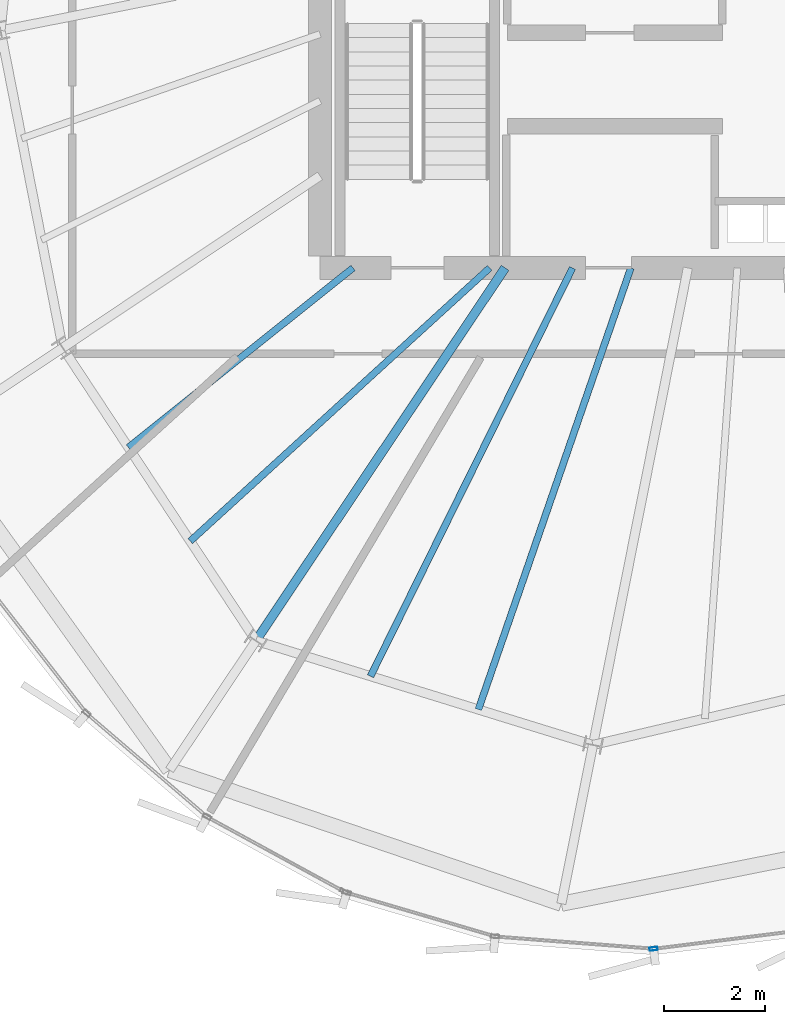
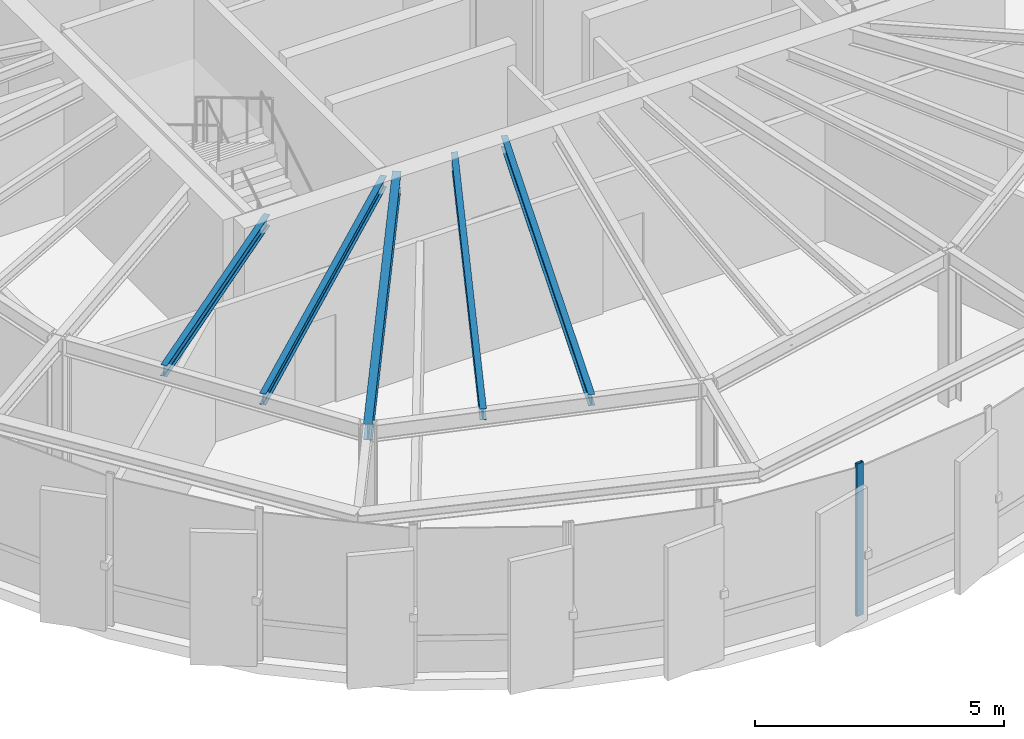
# One storey, part 5 of 25: 5 beams, 1 member, 1 element without a shape of its own.
"""IFC4 building model written with IfcOpenShell, lengths in metres."""

from ifc_helpers import new_model, si_unit, direction, frame, origin, origin_2d, place, context, subcontext, project, spatial, hollow_rectangle, i_section, extrude, source, transform, mapped, material, layer, layer_set, material_profile, profile_set, type_object, element, aggregate, save


model = new_model("IFC4")

# Units and contexts
model_context = context("Model", 3, precision=1e-05, world=origin(), true_north=direction((0.0, 1.0)))
body_context = subcontext(model_context, "Body", "Model", "MODEL_VIEW")
ifc_project = project(units=[si_unit("LENGTHUNIT", "METRE"), si_unit("AREAUNIT", "SQUARE_METRE"), si_unit("VOLUMEUNIT", "CUBIC_METRE"), si_unit("PLANEANGLEUNIT", "RADIAN"), si_unit("MASSUNIT", "GRAM", prefix="KILO"), si_unit("THERMODYNAMICTEMPERATUREUNIT", "KELVIN")], contexts=[model_context])

# Site, building, storey
site_placement = place(None, origin())
site = spatial("IfcSite", under=ifc_project, at=site_placement, CompositionType="ELEMENT")
building_placement = place(site_placement, origin())
building = spatial("IfcBuilding", under=site, at=building_placement, Name="Kethvar Cultural Tower", CompositionType="ELEMENT")
storey_placement = place(building_placement, frame((0.0, 0.0, 304.300048828125)))
storey = spatial("IfcBuildingStorey", under=building, at=storey_placement, Name="L81", CompositionType="ELEMENT", Elevation=304.300048828125)

# Beams
ifc_material_1 = material(Name="Steel S355J2", Category="steel")
ifc_material_profile_1 = material_profile(ifc_material_1, i_section(OverallWidth=0.135009765625, OverallDepth=0.27001953125, WebThickness=0.006591796875, FlangeThickness=0.01025390625, FilletRadius=0.014892578125, at=origin_2d()), Name="Steel S355J2 — IPE270")
ifc_profile_set_1 = profile_set([ifc_material_profile_1], Name="Steel S355J2 — IPE270")
beam_type_1 = type_object("IfcBeamType", Name="BM-J270", PredefinedType="JOIST", material=ifc_profile_set_1)
shared_shape_1 = source(origin(), body_context, "Body", "SweptSolid", [
    extrude(i_section(OverallWidth=0.135009765625, OverallDepth=0.27001953125, WebThickness=0.006591796875, FlangeThickness=0.01025390625, FilletRadius=0.014892578125, at=origin_2d()), origin(), (0.0, 0.0, 1.0), 5.68212890625),
])
beam_1_placement = place(storey_placement, frame((38.64990234375, 20.10009765625, 3.597900390625), z_axis=(-0.781157957733, -0.624333440615, 0.0), x_axis=(0.624333440615, -0.781157957733, 0.0)))
element("IfcBeam", 1, at=beam_1_placement, inside=storey, type_object=beam_type_1, Name="L81 Composite Floor Joist J-10A", PredefinedType="JOIST", context=body_context, shape_type="MappedRepresentation", body=[
    mapped(shared_shape_1, transform((0.0, 0.0, 0.0), scale=1.0)),
])
shared_shape_2 = source(origin(), body_context, "Body", "SweptSolid", [
    extrude(i_section(OverallWidth=0.135009765625, OverallDepth=0.27001953125, WebThickness=0.006591796875, FlangeThickness=0.01025390625, FilletRadius=0.014892578125, at=origin_2d()), origin(), (0.0, 0.0, 1.0), 8.010986328125),
])
beam_2_placement = place(storey_placement, frame((41.35009765625, 20.10009765625, 3.597900390625), z_axis=(-0.738614798856, -0.674127717061, 0.0), x_axis=(0.674127717061, -0.738614798856, 0.0)))
element("IfcBeam", 2, at=beam_2_placement, inside=storey, type_object=beam_type_1, Name="L81 Composite Floor Joist J-10B", PredefinedType="JOIST", context=body_context, shape_type="MappedRepresentation", body=[
    mapped(shared_shape_2, transform((0.0, 0.0, 0.0), scale=1.0)),
])
shared_shape_3 = source(origin(), body_context, "Body", "SweptSolid", [
    extrude(i_section(OverallWidth=0.135009765625, OverallDepth=0.27001953125, WebThickness=0.006591796875, FlangeThickness=0.01025390625, FilletRadius=0.014892578125, at=origin_2d()), origin(), (0.0, 0.0, 1.0), 9.00341796875),
])
beam_3_placement = place(storey_placement, frame((42.989501953125, 20.10009765625, 3.597900390625), z_axis=(-0.443543695319, -0.896252749141, 0.0), x_axis=(0.896252749141, -0.443543695319, 0.0)))
element("IfcBeam", 3, at=beam_3_placement, inside=storey, type_object=beam_type_1, Name="L81 Composite Floor Joist J-11A", PredefinedType="JOIST", context=body_context, shape_type="MappedRepresentation", body=[
    mapped(shared_shape_3, transform((0.0, 0.0, 0.0), scale=1.0)),
])
shared_shape_4 = source(origin(), body_context, "Body", "SweptSolid", [
    extrude(i_section(OverallWidth=0.135009765625, OverallDepth=0.27001953125, WebThickness=0.006591796875, FlangeThickness=0.01025390625, FilletRadius=0.014892578125, at=origin_2d()), origin(), (0.0, 0.0, 1.0), 9.234130859375),
])
beam_4_placement = place(storey_placement, frame((44.1416015625, 20.10009765625, 3.597900390625), z_axis=(-0.326362208058, -0.945244787953, 0.0), x_axis=(0.945244787953, -0.326362208058, 0.0)))
element("IfcBeam", 4, at=beam_4_placement, inside=storey, type_object=beam_type_1, Name="L81 Composite Floor Joist J-11B", PredefinedType="JOIST", context=body_context, shape_type="MappedRepresentation", body=[
    mapped(shared_shape_4, transform((0.0, 0.0, 0.0), scale=1.0)),
])
ifc_material_profile_2 = material_profile(ifc_material_1, i_section(OverallWidth=0.179931640625, OverallDepth=0.39990234375, WebThickness=0.008544921875, FlangeThickness=0.013427734375, FilletRadius=0.02099609375, at=origin_2d()), Name="Steel S355J2 — IPE400")
ifc_profile_set_2 = profile_set([ifc_material_profile_2], Name="Steel S355J2 — IPE400")
beam_type_2 = type_object("IfcBeamType", Name="BM-IPE400", PredefinedType="BEAM", material=ifc_profile_set_2)
shared_shape_5 = source(origin(), body_context, "Body", "SweptSolid", [
    extrude(i_section(OverallWidth=0.179931640625, OverallDepth=0.39990234375, WebThickness=0.008544921875, FlangeThickness=0.013427734375, FilletRadius=0.02099609375, at=origin_2d()), origin(), (0.0, 0.0, 1.0), 8.86279296875),
])
beam_5_placement = place(storey_placement, frame((41.655029296875, 20.10009765625, 3.532958984375), z_axis=(-0.555564443415, -0.831473480764, 0.0), x_axis=(0.831473480764, -0.555564443415, 0.0)))
element("IfcBeam", 5, at=beam_5_placement, inside=storey, type_object=beam_type_2, Name="L81 Primary Radial Beam RB-11", PredefinedType="BEAM", context=body_context, shape_type="MappedRepresentation", body=[
    mapped(shared_shape_5, transform((0.0, 0.0, 0.0), scale=1.0)),
])

# Curtain wall, member
ifc_material_2 = material(Name="Aluminium 6063-T6", Category="aluminium")
ifc_layer = layer(ifc_material_2, 0.179931640625, Name="Aluminium 6063-T6", Category="aluminium")
ifc_layer_set = layer_set([ifc_layer], Name="Aluminium 6063-T6 (180 mm)")
curtain_wall_type = type_object("IfcCurtainWallType", Name="CW-SYS-06-CROWN", PredefinedType="NOTDEFINED", material=ifc_layer_set)
curtain_wall_placement = place(storey_placement, origin())
curtain_wall = element("IfcCurtainWall", 6, at=curtain_wall_placement, inside=storey, type_object=curtain_wall_type, Name="L81 Curtain Wall Run 04", PredefinedType="NOTDEFINED")
ifc_material_profile_3 = material_profile(ifc_material_2, hollow_rectangle(XDim=0.06494140625, YDim=0.159912109375, WallThickness=0.0048828125, at=origin_2d()), Name="Aluminium 6063-T6 — RHS160x65x5")
ifc_profile_set_3 = profile_set([ifc_material_profile_3], Name="Aluminium 6063-T6 — RHS160x65x5")
member_type = type_object("IfcMemberType", Name="CW-SYS-06-CROWN-MUL", PredefinedType="MULLION", material=ifc_profile_set_3)
shared_shape_6 = source(origin(), body_context, "Body", "SweptSolid", [
    extrude(hollow_rectangle(XDim=0.06494140625, YDim=0.159912109375, WallThickness=0.0048828125, at=origin_2d()), origin(), (0.0, 0.0, 1.0), 3.73486328125),
])
member_placement = place(storey_placement, frame((44.59130859375, 6.6416015625, 0.0), z_axis=(0.0, 0.0, 1.0), x_axis=(-0.124155680141, 0.992262751034, 0.0)))
member = element("IfcMember", 7, at=member_placement, type_object=member_type, Name="CW-L81-R04 Mullion 3", PredefinedType="MULLION", context=body_context, shape_type="MappedRepresentation", body=[
    mapped(shared_shape_6, transform((0.0, 0.0, 0.0), scale=1.0)),
])
aggregate(curtain_wall, [member])

save(model, "model.ifc")
